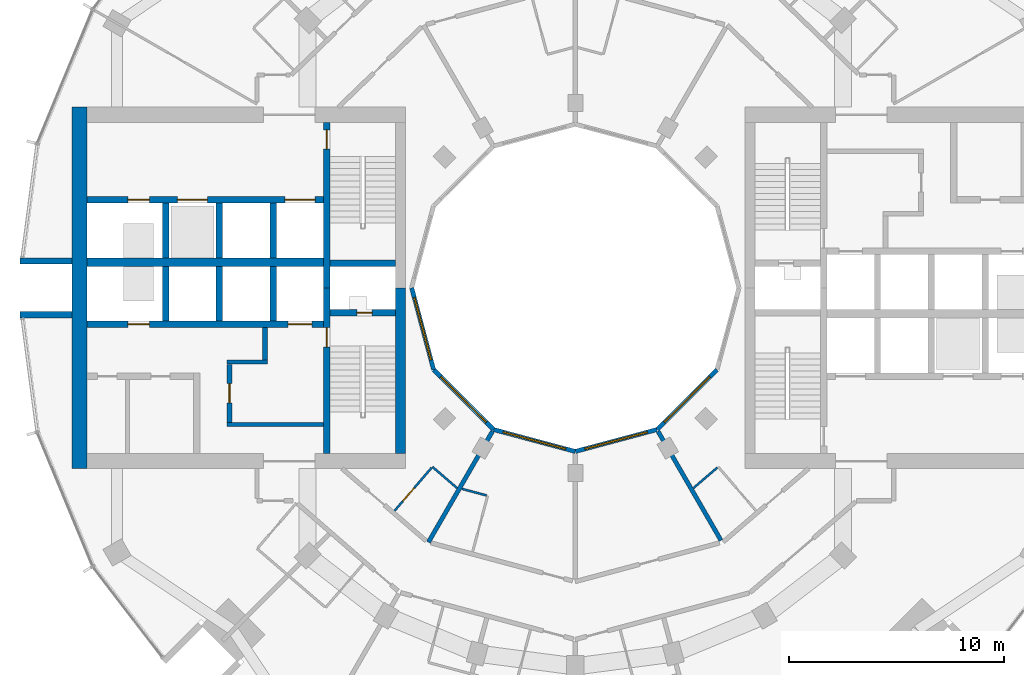
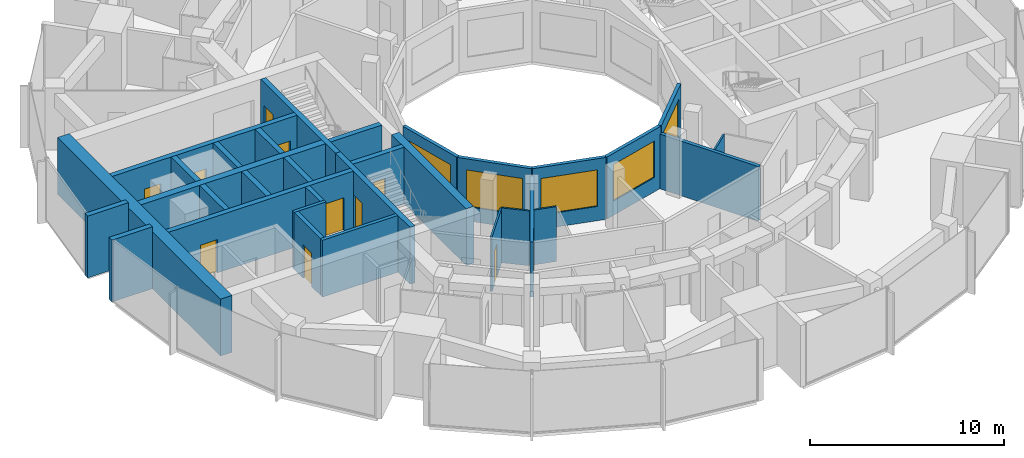
# One storey, part 9 of 15: 32 walls, 10 doors, 5 windows, 15 openings.
"""IFC4 building model written with IfcOpenShell, lengths in metres."""

from ifc_helpers import new_model, si_unit, direction, frame, frame_2d, origin, place, context, subcontext, project, spatial, rectangle, extrude, material, layer, layer_set, type_object, element, fill, save


model = new_model("IFC4")

# Units and contexts
model_context = context("Model", 3, precision=1e-05, world=origin(), true_north=direction((0.0, 1.0)))
body_context = subcontext(model_context, "Body", "Model", "MODEL_VIEW")
ifc_project = project(units=[si_unit("LENGTHUNIT", "METRE"), si_unit("AREAUNIT", "SQUARE_METRE"), si_unit("VOLUMEUNIT", "CUBIC_METRE"), si_unit("PLANEANGLEUNIT", "RADIAN"), si_unit("MASSUNIT", "GRAM", prefix="KILO")], contexts=[model_context])

# Site, building, storey
site_placement = place(None, origin())
site = spatial("IfcSite", under=ifc_project, at=site_placement, CompositionType="ELEMENT")
building_placement = place(site_placement, origin())
building = spatial("IfcBuilding", under=site, at=building_placement, Name="Torre Brocal", CompositionType="ELEMENT")
storey_placement = place(building_placement, frame((0.0, 0.0, 138.0)))
storey = spatial("IfcBuildingStorey", under=building, at=storey_placement, Name="L32", CompositionType="ELEMENT", Elevation=138.0)

# Walls
ifc_material_1 = material(Name="Concrete C70", Category="concrete")
ifc_layer_1 = layer(ifc_material_1, 0.199951171875)
ifc_layer_set_1 = layer_set([ifc_layer_1], Name="Concrete C70")
wall_type_1 = type_object("IfcWallType", Name="CORE WALL 200 C70", PredefinedType="SHEAR", material=ifc_layer_set_1)
wall_1_placement = place(storey_placement, frame((68.300048828125, 68.64990234375, 0.0), z_axis=(0.0, 0.0, 1.0), x_axis=(-1.0, 0.0, 0.0)))
element("IfcWall", 1, at=wall_1_placement, inside=storey, type_object=wall_type_1, Name="Wall CW200-70", PredefinedType="SHEAR", context=body_context, shape_type="SweptSolid", body=[
    extrude(rectangle(XDim=4.5, YDim=0.199951171875, at=frame_2d((2.25, 0.0))), origin(), (0.0, 0.0, 1.0), 3.580078125),
])
wall_2_placement = place(storey_placement, frame((65.699951171875, 71.550048828125, 0.0), z_axis=(0.0, 0.0, 1.0), x_axis=(-1.0, 0.0, 0.0)))
element("IfcWall", 2, at=wall_2_placement, inside=storey, type_object=wall_type_1, Name="Wall CW200-70", PredefinedType="SHEAR", context=body_context, shape_type="SweptSolid", body=[
    extrude(rectangle(XDim=1.89990234375, YDim=0.199951171875, at=frame_2d((0.949951171875, 0.0))), origin(), (0.0, 0.0, 1.0), 3.580078125),
])

# Wall, opening, door
ifc_material_2 = material(Name="Concrete C70", Category="concrete")
ifc_layer_2 = layer(ifc_material_2, 0.25)
ifc_layer_set_2 = layer_set([ifc_layer_2], Name="Concrete C70")
wall_type_2 = type_object("IfcWallType", Name="CORE WALL 250 C70", PredefinedType="SHEAR", material=ifc_layer_set_2)
wall_3_placement = place(storey_placement, frame((63.925048828125, 71.449951171875, 0.0), z_axis=(0.0, 0.0, 1.0), x_axis=(0.0, -1.0, 0.0)))
wall_3 = element("IfcWall", 3, at=wall_3_placement, inside=storey, type_object=wall_type_2, Name="Wall CW250-70", PredefinedType="SHEAR", context=body_context, shape_type="SweptSolid", body=[
    extrude(rectangle(XDim=2.699951171875, YDim=0.25, at=frame_2d((1.35009765625, 0.0))), origin(), (0.0, 0.0, 1.0), 3.580078125),
])
opening_1_placement = place(wall_3_placement, frame((0.89990234375, 0.0, 0.0)))
opening_1 = element("IfcOpeningElement", 4, at=opening_1_placement, cuts=wall_3, Name="Opening W-D15", PredefinedType="OPENING", context=body_context, shape_type="SweptSolid", body=[
    extrude(rectangle(XDim=0.89990234375, YDim=2.10009765625, at=frame_2d((0.449951171875, 1.050048828125))), frame((0.0, 0.135009765625, 0.0), z_axis=(0.0, -1.0, 0.0), x_axis=(1.0, 0.0, 0.0)), (0.0, 0.0, 1.0), 0.27001953125),
])
ifc_material_3 = material(Name="Steel A653", Category="steel")
door_type_1 = type_object("IfcDoorType", Name="LOBBY DOOR FD120 900X2100", OperationType="SINGLE_SWING_RIGHT", PredefinedType="DOOR", material=ifc_material_3)
door_1_placement = place(opening_1_placement, origin())
door_1 = element("IfcDoor", 5, at=door_1_placement, inside=storey, type_object=door_type_1, Name="Door W-D15", OperationType="SINGLE_SWING_LEFT", OverallHeight=2.10009765625, OverallWidth=0.89990234375, PredefinedType="DOOR", context=body_context, shape_type="SweptSolid", body=[
    extrude(rectangle(XDim=0.89990234375, YDim=2.10009765625, at=frame_2d((0.449951171875, 1.050048828125))), frame((0.0, 0.02490234375, 0.0), z_axis=(0.0, -1.0, 0.0), x_axis=(1.0, 0.0, 0.0)), (0.0, 0.0, 1.0), 0.050048828125),
])
fill(opening_1, door_1)

# Wall
wall_4_placement = place(storey_placement, frame((65.574951171875, 73.14990234375, 0.0), z_axis=(0.0, 0.0, 1.0), x_axis=(0.0, -1.0, 0.0)))
element("IfcWall", 6, at=wall_4_placement, inside=storey, type_object=wall_type_2, Name="Wall CW250-70", PredefinedType="SHEAR", context=body_context, shape_type="SweptSolid", body=[
    extrude(rectangle(XDim=1.5, YDim=0.25, at=frame_2d((0.75, 0.0))), origin(), (0.0, 0.0, 1.0), 3.580078125),
])

# Wall, opening, door
ifc_material_4 = material(Name="Concrete C70", Category="concrete")
ifc_layer_3 = layer(ifc_material_4, 0.300048828125)
ifc_layer_set_3 = layer_set([ifc_layer_3], Name="Concrete C70")
wall_type_3 = type_object("IfcWallType", Name="CORE WALL 300 C70", PredefinedType="SHEAR", material=ifc_layer_set_3)
wall_5_placement = place(storey_placement, frame((68.449951171875, 75.0, 0.0), z_axis=(0.0, 0.0, 1.0), x_axis=(0.0, -1.0, 0.0)))
wall_5 = element("IfcWall", 7, at=wall_5_placement, inside=storey, type_object=wall_type_3, Name="Wall CW300-70", PredefinedType="SHEAR", context=body_context, shape_type="SweptSolid", body=[
    extrude(rectangle(XDim=7.699951171875, YDim=0.300048828125, at=frame_2d((3.85009765625, 0.0))), origin(), (0.0, 0.0, 1.0), 3.580078125),
])
opening_2_placement = place(wall_5_placement, frame((1.85009765625, 0.0, 0.0)))
opening_2 = element("IfcOpeningElement", 8, at=opening_2_placement, cuts=wall_5, Name="Opening W-D02", PredefinedType="OPENING", context=body_context, shape_type="SweptSolid", body=[
    extrude(rectangle(XDim=0.89990234375, YDim=2.10009765625, at=frame_2d((0.449951171875, 1.050048828125))), frame((0.0, 0.159912109375, 0.0), z_axis=(0.0, -1.0, 0.0), x_axis=(1.0, 0.0, 0.0)), (0.0, 0.0, 1.0), 0.320068359375),
])
ifc_material_5 = material(Name="Steel A653", Category="steel")
door_type_2 = type_object("IfcDoorType", Name="STAIR DOOR FD120 900X2100", OperationType="SINGLE_SWING_RIGHT", PredefinedType="DOOR", material=ifc_material_5)
door_2_placement = place(opening_2_placement, origin())
door_2 = element("IfcDoor", 9, at=door_2_placement, inside=storey, type_object=door_type_2, Name="Door W-D02", OperationType="SINGLE_SWING_LEFT", OverallHeight=2.10009765625, OverallWidth=0.89990234375, PredefinedType="DOOR", context=body_context, shape_type="SweptSolid", body=[
    extrude(rectangle(XDim=0.89990234375, YDim=2.10009765625, at=frame_2d((0.449951171875, 1.050048828125))), frame((0.0, 0.02490234375, 0.0), z_axis=(0.0, -1.0, 0.0), x_axis=(1.0, 0.0, 0.0)), (0.0, 0.0, 1.0), 0.050048828125),
])
fill(opening_2, door_2)

wall_6_placement = place(storey_placement, frame((68.449951171875, 82.699951171875, 0.0), z_axis=(0.0, 0.0, 1.0), x_axis=(0.0, -1.0, 0.0)))
wall_6 = element("IfcWall", 10, at=wall_6_placement, inside=storey, type_object=wall_type_3, Name="Wall CW300-70", PredefinedType="SHEAR", context=body_context, shape_type="SweptSolid", body=[
    extrude(rectangle(XDim=7.699951171875, YDim=0.300048828125, at=frame_2d((3.85009765625, 0.0))), origin(), (0.0, 0.0, 1.0), 3.580078125),
])
opening_3_placement = place(wall_6_placement, frame((0.35009765625, 0.0, 0.0)))
opening_3 = element("IfcOpeningElement", 11, at=opening_3_placement, cuts=wall_6, Name="Opening W-D03", PredefinedType="OPENING", context=body_context, shape_type="SweptSolid", body=[
    extrude(rectangle(XDim=0.89990234375, YDim=2.10009765625, at=frame_2d((0.449951171875, 1.050048828125))), frame((0.0, 0.159912109375, 0.0), z_axis=(0.0, -1.0, 0.0), x_axis=(1.0, 0.0, 0.0)), (0.0, 0.0, 1.0), 0.320068359375),
])
door_3_placement = place(opening_3_placement, origin())
door_3 = element("IfcDoor", 12, at=door_3_placement, inside=storey, type_object=door_type_2, Name="Door W-D03", OperationType="SINGLE_SWING_LEFT", OverallHeight=2.10009765625, OverallWidth=0.89990234375, PredefinedType="DOOR", context=body_context, shape_type="SweptSolid", body=[
    extrude(rectangle(XDim=0.89990234375, YDim=2.10009765625, at=frame_2d((0.449951171875, 1.050048828125))), frame((0.0, 0.02490234375, 0.0), z_axis=(0.0, -1.0, 0.0), x_axis=(1.0, 0.0, 0.0)), (0.0, 0.0, 1.0), 0.050048828125),
])
fill(opening_3, door_3)

wall_7_placement = place(storey_placement, frame((71.64990234375, 73.85009765625, 0.0), z_axis=(0.0, 0.0, 1.0), x_axis=(-1.0, 0.0, 0.0)))
wall_7 = element("IfcWall", 13, at=wall_7_placement, inside=storey, type_object=wall_type_3, Name="Wall CW300-70", PredefinedType="SHEAR", context=body_context, shape_type="SweptSolid", body=[
    extrude(rectangle(XDim=3.0498046875, YDim=0.300048828125, at=frame_2d((1.52490234375, 0.0))), origin(), (0.0, 0.0, 1.0), 3.580078125),
])
opening_4_placement = place(wall_7_placement, frame((1.10009765625, 0.0, 0.0)))
opening_4 = element("IfcOpeningElement", 14, at=opening_4_placement, cuts=wall_7, Name="Opening W-D01", PredefinedType="OPENING", context=body_context, shape_type="SweptSolid", body=[
    extrude(rectangle(XDim=0.699951171875, YDim=2.0, at=frame_2d((0.35009765625, 1.0))), frame((0.0, 0.159912109375, 0.0), z_axis=(0.0, -1.0, 0.0), x_axis=(1.0, 0.0, 0.0)), (0.0, 0.0, 1.0), 0.320068359375),
])
ifc_material_6 = material(Name="Steel A653", Category="steel")
door_type_3 = type_object("IfcDoorType", Name="RISER DOOR FD120 700X2000", OperationType="SINGLE_SWING_LEFT", PredefinedType="DOOR", material=ifc_material_6)
door_4_placement = place(opening_4_placement, frame((0.699951171875, 0.0, 0.0), z_axis=(0.0, 0.0, 1.0), x_axis=(-1.0, 0.0, 0.0)))
door_4 = element("IfcDoor", 15, at=door_4_placement, inside=storey, type_object=door_type_3, Name="Door W-D01", OperationType="SINGLE_SWING_RIGHT", OverallHeight=2.0, OverallWidth=0.699951171875, PredefinedType="DOOR", context=body_context, shape_type="SweptSolid", body=[
    extrude(rectangle(XDim=0.699951171875, YDim=2.0, at=frame_2d((0.35009765625, 1.0))), frame((0.0, 0.02490234375, 0.0), z_axis=(0.0, -1.0, 0.0), x_axis=(1.0, 0.0, 0.0)), (0.0, 0.0, 1.0), 0.050048828125),
])
fill(opening_4, door_4)

# Wall
wall_8_placement = place(storey_placement, frame((71.64990234375, 76.14990234375, 0.0), z_axis=(0.0, 0.0, 1.0), x_axis=(-1.0, 0.0, 0.0)))
element("IfcWall", 16, at=wall_8_placement, inside=storey, type_object=wall_type_3, Name="Wall CW300-70", PredefinedType="SHEAR", context=body_context, shape_type="SweptSolid", body=[
    extrude(rectangle(XDim=3.0498046875, YDim=0.300048828125, at=frame_2d((1.52490234375, 0.0))), origin(), (0.0, 0.0, 1.0), 3.580078125),
])

# Wall, openings, doors
wall_9_placement = place(storey_placement, frame((68.300048828125, 73.300048828125, 0.0), z_axis=(0.0, 0.0, 1.0), x_axis=(-1.0, 0.0, 0.0)))
wall_9 = element("IfcWall", 17, at=wall_9_placement, inside=storey, type_object=wall_type_3, Name="Wall CW300-70", PredefinedType="SHEAR", context=body_context, shape_type="SweptSolid", body=[
    extrude(rectangle(XDim=11.0, YDim=0.300048828125, at=frame_2d((5.5, 0.0))), origin(), (0.0, 0.0, 1.0), 3.580078125),
])
opening_5_placement = place(wall_9_placement, frame((0.550048828125, 0.0, 0.0)))
opening_5 = element("IfcOpeningElement", 18, at=opening_5_placement, cuts=wall_9, Name="Opening LD", PredefinedType="OPENING", context=body_context, shape_type="SweptSolid", body=[
    extrude(rectangle(XDim=1.10009765625, YDim=2.10009765625, at=frame_2d((0.550048828125, 1.050048828125))), frame((0.0, 0.159912109375, 0.0), z_axis=(0.0, -1.0, 0.0), x_axis=(1.0, 0.0, 0.0)), (0.0, 0.0, 1.0), 0.320068359375),
])
opening_6_placement = place(wall_9_placement, frame((8.10009765625, 0.0, 0.0)))
opening_6 = element("IfcOpeningElement", 19, at=opening_6_placement, cuts=wall_9, Name="Opening LD10", PredefinedType="OPENING", context=body_context, shape_type="SweptSolid", body=[
    extrude(rectangle(XDim=1.0, YDim=2.10009765625, at=frame_2d((0.5, 1.050048828125))), frame((0.0, 0.159912109375, 0.0), z_axis=(0.0, -1.0, 0.0), x_axis=(1.0, 0.0, 0.0)), (0.0, 0.0, 1.0), 0.320068359375),
])
ifc_material_7 = material(Name="Stainless steel AISI 316", Category="steel")
door_type_4 = type_object("IfcDoorType", Name="LIFT LANDING DOOR 1000X2100", OperationType="DOUBLE_DOOR_SLIDING", PredefinedType="DOOR", material=ifc_material_7)
door_5_placement = place(opening_6_placement, origin())
door_5 = element("IfcDoor", 20, at=door_5_placement, inside=storey, type_object=door_type_4, Name="Door LD10", OperationType="DOUBLE_DOOR_SLIDING", OverallHeight=2.10009765625, OverallWidth=1.0, PredefinedType="DOOR", context=body_context, shape_type="SweptSolid", body=[
    extrude(rectangle(XDim=1.0, YDim=2.10009765625, at=frame_2d((0.5, 1.050048828125))), frame((0.0, 0.02490234375, 0.0), z_axis=(0.0, -1.0, 0.0), x_axis=(1.0, 0.0, 0.0)), (0.0, 0.0, 1.0), 0.050048828125),
])
fill(opening_6, door_5)
ifc_material_8 = material(Name="Stainless steel AISI 316", Category="steel")
door_type_5 = type_object("IfcDoorType", Name="LIFT LANDING DOOR 1100X2100", OperationType="DOUBLE_DOOR_SLIDING", PredefinedType="DOOR", material=ifc_material_8)
door_6_placement = place(opening_5_placement, origin())
door_6 = element("IfcDoor", 21, at=door_6_placement, inside=storey, type_object=door_type_5, Name="Door LD", OperationType="DOUBLE_DOOR_SLIDING", OverallHeight=2.10009765625, OverallWidth=1.10009765625, PredefinedType="DOOR", context=body_context, shape_type="SweptSolid", body=[
    extrude(rectangle(XDim=1.10009765625, YDim=2.10009765625, at=frame_2d((0.550048828125, 1.050048828125))), frame((0.0, 0.02490234375, 0.0), z_axis=(0.0, -1.0, 0.0), x_axis=(1.0, 0.0, 0.0)), (0.0, 0.0, 1.0), 0.050048828125),
])
fill(opening_5, door_6)

wall_10_placement = place(storey_placement, frame((68.300048828125, 79.10009765625, 0.0), z_axis=(0.0, 0.0, 1.0), x_axis=(-1.0, 0.0, 0.0)))
wall_10 = element("IfcWall", 22, at=wall_10_placement, inside=storey, type_object=wall_type_3, Name="Wall CW300-70", PredefinedType="SHEAR", context=body_context, shape_type="SweptSolid", body=[
    extrude(rectangle(XDim=11.0, YDim=0.300048828125, at=frame_2d((5.5, 0.0))), origin(), (0.0, 0.0, 1.0), 3.580078125),
])
opening_7_placement = place(wall_10_placement, frame((0.39990234375, 0.0, 0.0)))
opening_7 = element("IfcOpeningElement", 23, at=opening_7_placement, cuts=wall_10, Name="Opening LD14", PredefinedType="OPENING", context=body_context, shape_type="SweptSolid", body=[
    extrude(rectangle(XDim=1.39990234375, YDim=2.10009765625, at=frame_2d((0.699951171875, 1.050048828125))), frame((0.0, 0.159912109375, 0.0), z_axis=(0.0, -1.0, 0.0), x_axis=(1.0, 0.0, 0.0)), (0.0, 0.0, 1.0), 0.320068359375),
])
opening_8_placement = place(wall_10_placement, frame((5.39990234375, 0.0, 0.0)))
opening_8 = element("IfcOpeningElement", 24, at=opening_8_placement, cuts=wall_10, Name="Opening LD14", PredefinedType="OPENING", context=body_context, shape_type="SweptSolid", body=[
    extrude(rectangle(XDim=1.39990234375, YDim=2.10009765625, at=frame_2d((0.699951171875, 1.050048828125))), frame((0.0, 0.159912109375, 0.0), z_axis=(0.0, -1.0, 0.0), x_axis=(1.0, 0.0, 0.0)), (0.0, 0.0, 1.0), 0.320068359375),
])
opening_9_placement = place(wall_10_placement, frame((8.10009765625, 0.0, 0.0)))
opening_9 = element("IfcOpeningElement", 25, at=opening_9_placement, cuts=wall_10, Name="Opening LD10", PredefinedType="OPENING", context=body_context, shape_type="SweptSolid", body=[
    extrude(rectangle(XDim=1.0, YDim=2.10009765625, at=frame_2d((0.5, 1.050048828125))), frame((0.0, 0.159912109375, 0.0), z_axis=(0.0, -1.0, 0.0), x_axis=(1.0, 0.0, 0.0)), (0.0, 0.0, 1.0), 0.320068359375),
])
door_7_placement = place(opening_9_placement, origin())
door_7 = element("IfcDoor", 26, at=door_7_placement, inside=storey, type_object=door_type_4, Name="Door LD10", OperationType="DOUBLE_DOOR_SLIDING", OverallHeight=2.10009765625, OverallWidth=1.0, PredefinedType="DOOR", context=body_context, shape_type="SweptSolid", body=[
    extrude(rectangle(XDim=1.0, YDim=2.10009765625, at=frame_2d((0.5, 1.050048828125))), frame((0.0, 0.02490234375, 0.0), z_axis=(0.0, -1.0, 0.0), x_axis=(1.0, 0.0, 0.0)), (0.0, 0.0, 1.0), 0.050048828125),
])
fill(opening_9, door_7)
ifc_material_9 = material(Name="Stainless steel AISI 316", Category="steel")
door_type_6 = type_object("IfcDoorType", Name="LIFT LANDING DOOR 1400X2100", OperationType="DOUBLE_DOOR_SLIDING", PredefinedType="DOOR", material=ifc_material_9)
door_8_placement = place(opening_7_placement, origin())
door_8 = element("IfcDoor", 27, at=door_8_placement, inside=storey, type_object=door_type_6, Name="Door LD14", OperationType="DOUBLE_DOOR_SLIDING", OverallHeight=2.10009765625, OverallWidth=1.39990234375, PredefinedType="DOOR", context=body_context, shape_type="SweptSolid", body=[
    extrude(rectangle(XDim=1.39990234375, YDim=2.10009765625, at=frame_2d((0.699951171875, 1.050048828125))), frame((0.0, 0.02490234375, 0.0), z_axis=(0.0, -1.0, 0.0), x_axis=(1.0, 0.0, 0.0)), (0.0, 0.0, 1.0), 0.050048828125),
])
fill(opening_7, door_8)
door_9_placement = place(opening_8_placement, origin())
door_9 = element("IfcDoor", 28, at=door_9_placement, inside=storey, type_object=door_type_6, Name="Door LD14", OperationType="DOUBLE_DOOR_SLIDING", OverallHeight=2.10009765625, OverallWidth=1.39990234375, PredefinedType="DOOR", context=body_context, shape_type="SweptSolid", body=[
    extrude(rectangle(XDim=1.39990234375, YDim=2.10009765625, at=frame_2d((0.699951171875, 1.050048828125))), frame((0.0, 0.02490234375, 0.0), z_axis=(0.0, -1.0, 0.0), x_axis=(1.0, 0.0, 0.0)), (0.0, 0.0, 1.0), 0.050048828125),
])
fill(opening_8, door_9)

# Walls
for number, where, z_axis, x_axis, name in (
    (29, (65.949951171875, 76.0, 0.0), (0.0, 0.0, 1.0), (0.0, -1.0, 0.0), "Wall CW300-70"),
    (30, (63.449951171875, 76.0, 0.0), (0.0, 0.0, 1.0), (0.0, -1.0, 0.0), "Wall CW300-70"),
    (31, (60.949951171875, 76.0, 0.0), (0.0, 0.0, 1.0), (0.0, -1.0, 0.0), "Wall CW300-70"),
    (32, (65.949951171875, 78.949951171875, 0.0), (0.0, 0.0, 1.0), (0.0, -1.0, 0.0), "Wall CW300-70"),
    (33, (63.449951171875, 78.949951171875, 0.0), (0.0, 0.0, 1.0), (0.0, -1.0, 0.0), "Wall CW300-70"),
    (34, (60.949951171875, 78.949951171875, 0.0), (0.0, 0.0, 1.0), (0.0, -1.0, 0.0), "Wall CW300-70"),
):
    element("IfcWall", number, at=place(storey_placement, frame(where, z_axis=z_axis, x_axis=x_axis)), inside=storey, type_object=wall_type_3, Name=name, PredefinedType="SHEAR", context=body_context, shape_type="SweptSolid", body=[
        extrude(rectangle(XDim=2.550048828125, YDim=0.300048828125, at=frame_2d((1.27490234375, 0.0))), origin(), (0.0, 0.0, 1.0), 3.580078125),
    ])
ifc_material_10 = material(Name="Concrete C70", Category="concrete")
ifc_layer_4 = layer(ifc_material_10, 0.39990234375)
ifc_layer_set_4 = layer_set([ifc_layer_4], Name="Concrete C70")
wall_type_4 = type_object("IfcWallType", Name="CORE WALL 400 C70", PredefinedType="SHEAR", material=ifc_layer_set_4)
wall_11_placement = place(storey_placement, frame((68.300048828125, 76.199951171875, 0.0), z_axis=(0.0, 0.0, 1.0), x_axis=(-1.0, 0.0, 0.0)))
element("IfcWall", 35, at=wall_11_placement, inside=storey, type_object=wall_type_4, Name="Wall CW400-70", PredefinedType="SHEAR", context=body_context, shape_type="SweptSolid", body=[
    extrude(rectangle(XDim=11.0, YDim=0.39990234375, at=frame_2d((5.5, 0.0))), origin(), (0.0, 0.0, 1.0), 3.580078125),
])
ifc_material_11 = material(Name="Concrete C70", Category="concrete")
ifc_layer_5 = layer(ifc_material_11, 0.449951171875)
ifc_layer_set_5 = layer_set([ifc_layer_5], Name="Concrete C70")
wall_type_5 = type_object("IfcWallType", Name="CORE WALL 450 C70", PredefinedType="SHEAR", material=ifc_layer_set_5)
wall_12_placement = place(storey_placement, frame((71.875, 75.0, 0.0), z_axis=(0.0, 0.0, 1.0), x_axis=(0.0, -1.0, 0.0)))
element("IfcWall", 36, at=wall_12_placement, inside=storey, type_object=wall_type_5, Name="Wall CW450-70", PredefinedType="SHEAR", context=body_context, shape_type="SweptSolid", body=[
    extrude(rectangle(XDim=7.699951171875, YDim=0.449951171875, at=frame_2d((3.85009765625, 0.0))), origin(), (0.0, 0.0, 1.0), 3.580078125),
])
ifc_material_12 = material(Name="Concrete C70", Category="concrete")
ifc_layer_6 = layer(ifc_material_12, 0.699951171875)
ifc_layer_set_6 = layer_set([ifc_layer_6], Name="Concrete C70")
wall_type_6 = type_object("IfcWallType", Name="CORE WALL 700 C70", PredefinedType="SHEAR", material=ifc_layer_set_6)
wall_13_placement = place(storey_placement, frame((56.949951171875, 83.39990234375, 0.0), z_axis=(0.0, 0.0, 1.0), x_axis=(0.0, -1.0, 0.0)))
element("IfcWall", 37, at=wall_13_placement, inside=storey, type_object=wall_type_6, Name="Wall CW700-70", PredefinedType="SHEAR", context=body_context, shape_type="SweptSolid", body=[
    extrude(rectangle(XDim=16.7998046875, YDim=0.699951171875, at=frame_2d((8.39990234375, 0.0))), origin(), (0.0, 0.0, 1.0), 3.580078125),
])
ifc_material_13 = material(Name="Concrete C70", Category="concrete")
ifc_layer_7 = layer(ifc_material_13, 0.300048828125)
ifc_layer_set_7 = layer_set([ifc_layer_7], Name="Concrete C70")
wall_type_7 = type_object("IfcWallType", Name="NOTCH RETURN WALL 300 C70", PredefinedType="NOTDEFINED", material=ifc_layer_set_7)
for number, where, z_axis, x_axis, name in (
    (38, (56.60009765625, 76.25, 0.0), (0.0, 0.0, 1.0), (-1.0, 0.0, 0.0), "NOTCH RETURN WALL"),
    (39, (56.60009765625, 73.75, 0.0), (0.0, 0.0, 1.0), (-1.0, 0.0, 0.0), "NOTCH RETURN WALL"),
):
    element("IfcWall", number, at=place(storey_placement, frame(where, z_axis=z_axis, x_axis=x_axis)), inside=storey, type_object=wall_type_7, Name=name, PredefinedType="NOTDEFINED", context=body_context, shape_type="SweptSolid", body=[
        extrude(rectangle(XDim=2.415771484375, YDim=0.300048828125, at=frame_2d((1.2080078125, 0.0))), origin(), (0.0, 0.0, 1.0), 3.89990234375),
    ])

# Wall, opening, door
ifc_material_14 = material(Name="Gypsum board", Category="Gypsum")
ifc_layer_8 = layer(ifc_material_14, 0.10009765625)
ifc_layer_set_8 = layer_set([ifc_layer_8], Name="Gypsum board")
wall_type_8 = type_object("IfcWallType", Name="PARTITION 100", PredefinedType="PARTITIONING", material=ifc_layer_set_8)
wall_14_placement = place(storey_placement, frame((71.59619140625, 64.634765625, 0.0), z_axis=(0.0, 0.0, 1.0), x_axis=(0.652285007511, 0.757973791748, 0.0)))
wall_14 = element("IfcWall", 40, at=wall_14_placement, inside=storey, type_object=wall_type_8, Name="BATHROOM WALL", PredefinedType="PARTITIONING", context=body_context, shape_type="SweptSolid", body=[
    extrude(rectangle(XDim=2.649658203125, YDim=0.10009765625, at=frame_2d((1.32470703125, 0.0))), origin(), (0.0, 0.0, 1.0), 3.449951171875),
])
opening_10_placement = place(wall_14_placement, frame((0.599609375, 0.0, 0.0)))
opening_10 = element("IfcOpeningElement", 41, at=opening_10_placement, cuts=wall_14, Name="Opening E03-D40", PredefinedType="OPENING", context=body_context, shape_type="SweptSolid", body=[
    extrude(rectangle(XDim=0.800048828125, YDim=2.10009765625, at=frame_2d((0.39990234375, 1.050048828125))), frame((0.0, 0.06005859375, 0.0), z_axis=(0.0, -1.0, 0.0), x_axis=(1.0, 0.0, 0.0)), (0.0, 0.0, 1.0), 0.1201171875),
])
ifc_material_15 = material(Name="Timber", Category="wood")
door_type_7 = type_object("IfcDoorType", Name="BATHROOM DOOR 800X2100", OperationType="SINGLE_SWING_LEFT", PredefinedType="DOOR", material=ifc_material_15)
door_10_placement = place(opening_10_placement, frame((0.800048828125, 0.0, 0.0), z_axis=(0.0, 0.0, 1.0), x_axis=(-1.0, 0.0, 0.0)))
door_10 = element("IfcDoor", 42, at=door_10_placement, inside=storey, type_object=door_type_7, Name="E03-D40", OperationType="SINGLE_SWING_RIGHT", OverallHeight=2.10009765625, OverallWidth=0.800048828125, PredefinedType="DOOR", context=body_context, shape_type="SweptSolid", body=[
    extrude(rectangle(XDim=0.800048828125, YDim=2.10009765625, at=frame_2d((0.39990234375, 1.050048828125))), frame((0.0, 0.02490234375, 0.0), z_axis=(0.0, -1.0, 0.0), x_axis=(1.0, 0.0, 0.0)), (0.0, 0.0, 1.0), 0.050048828125),
])
fill(opening_10, door_10)

# Walls
wall_15_placement = place(storey_placement, frame((73.35693359375, 66.680908203125, 0.0), z_axis=(0.0, 0.0, 1.0), x_axis=(0.758263469747, -0.651948242154, 0.0)))
element("IfcWall", 43, at=wall_15_placement, inside=storey, type_object=wall_type_8, Name="BATHROOM WALL", PredefinedType="PARTITIONING", context=body_context, shape_type="SweptSolid", body=[
    extrude(rectangle(XDim=1.510986328125, YDim=0.10009765625, at=frame_2d((0.75537109375, 0.0))), origin(), (0.0, 0.0, 1.0), 3.449951171875),
])
wall_16_placement = place(storey_placement, frame((74.729248046875, 65.657470703125, 0.0), z_axis=(0.0, 0.0, 1.0), x_axis=(0.965948051503, -0.258736085224, 0.0)))
element("IfcWall", 44, at=wall_16_placement, inside=storey, type_object=wall_type_8, Name="BATHROOM WALL", PredefinedType="PARTITIONING", context=body_context, shape_type="SweptSolid", body=[
    extrude(rectangle(XDim=1.18896484375, YDim=0.10009765625, at=frame_2d((0.594482421875, 0.0))), origin(), (0.0, 0.0, 1.0), 3.449951171875),
])
wall_17_placement = place(storey_placement, frame((85.497314453125, 65.69580078125, 0.0), z_axis=(0.0, 0.0, 1.0), x_axis=(0.75817032582, 0.652056559698, 0.0)))
element("IfcWall", 45, at=wall_17_placement, inside=storey, type_object=wall_type_8, Name="BATHROOM WALL", PredefinedType="PARTITIONING", context=body_context, shape_type="SweptSolid", body=[
    extrude(rectangle(XDim=1.4609375, YDim=0.10009765625, at=frame_2d((0.73046875, 0.0))), origin(), (0.0, 0.0, 1.0), 3.449951171875),
])
ifc_material_16 = material(Name="Gypsum board", Category="Gypsum")
ifc_layer_9 = layer(ifc_material_16, 0.199951171875)
ifc_layer_set_9 = layer_set([ifc_layer_9], Name="Gypsum board")
wall_type_9 = type_object("IfcWallType", Name="PARTITION 200 EI60", PredefinedType="PARTITIONING", material=ifc_layer_set_9)
wall_18_placement = place(storey_placement, frame((73.172607421875, 63.17626953125, 0.0), z_axis=(0.0, 0.0, 1.0), x_axis=(0.500239348149, 0.865887171959, 0.0)))
element("IfcWall", 46, at=wall_18_placement, inside=storey, type_object=wall_type_9, Name="BATHROOM WALL", PredefinedType="PARTITIONING", context=body_context, shape_type="SweptSolid", body=[
    extrude(rectangle(XDim=5.955078125, YDim=0.199951171875, at=frame_2d((2.9775390625, 0.0))), origin(), (0.0, 0.0, 1.0), 3.449951171875),
])
wall_19_placement = place(storey_placement, frame((83.847412109375, 68.33203125, 0.0), z_axis=(0.0, 0.0, 1.0), x_axis=(0.499901724708, -0.866082135617, 0.0)))
element("IfcWall", 47, at=wall_19_placement, inside=storey, type_object=wall_type_9, Name="BATHROOM WALL", PredefinedType="PARTITIONING", context=body_context, shape_type="SweptSolid", body=[
    extrude(rectangle(XDim=5.855224609375, YDim=0.199951171875, at=frame_2d((2.927734375, 0.0))), origin(), (0.0, 0.0, 1.0), 3.449951171875),
])

# Wall, opening, window
ifc_material_17 = material(Name="Concrete C40", Category="concrete")
ifc_layer_10 = layer(ifc_material_17, 0.199951171875)
ifc_layer_set_10 = layer_set([ifc_layer_10], Name="Concrete C40")
wall_type_10 = type_object("IfcWallType", Name="WELL FACADE WALL 200", PredefinedType="NOTDEFINED", material=ifc_layer_set_10)
wall_20_placement = place(storey_placement, frame((72.396484375, 75.0, 0.0), z_axis=(0.0, 0.0, 1.0), x_axis=(0.258789828301, -0.965933654434, 0.0)))
wall_20 = element("IfcWall", 48, at=wall_20_placement, inside=storey, type_object=wall_type_10, Name="WELL FACADE WALL", PredefinedType="NOTDEFINED", context=body_context, shape_type="SweptSolid", body=[
    extrude(rectangle(XDim=3.935791015625, YDim=0.199951171875, at=frame_2d((1.9677734375, 0.0))), origin(), (0.0, 0.0, 1.0), 3.89990234375),
])
opening_11_placement = place(wall_20_placement, frame((0.468017578125, 0.0, 0.89990234375)))
opening_11 = element("IfcOpeningElement", 49, at=opening_11_placement, cuts=wall_20, Name="Opening W1", PredefinedType="OPENING", context=body_context, shape_type="SweptSolid", body=[
    extrude(rectangle(XDim=3.0, YDim=2.300048828125, at=frame_2d((1.5, 1.14990234375))), frame((0.0, 0.10986328125, 0.0), z_axis=(0.0, -1.0, 0.0), x_axis=(1.0, 0.0, 0.0)), (0.0, 0.0, 1.0), 0.219970703125),
])
ifc_material_18 = material(Name="Aluminium and glass", Category="aluminium")
window_type = type_object("IfcWindowType", Name="WELL WINDOW 3000X2300", PartitioningType="SINGLE_PANEL", PredefinedType="WINDOW", material=ifc_material_18)
window_1_placement = place(opening_11_placement, origin())
window_1 = element("IfcWindow", 50, at=window_1_placement, inside=storey, type_object=window_type, Name="WELL WINDOW 3000X2300", OverallHeight=2.300048828125, OverallWidth=3.0, PartitioningType="SINGLE_PANEL", PredefinedType="WINDOW", context=body_context, shape_type="SweptSolid", body=[
    extrude(rectangle(XDim=3.0, YDim=2.300048828125, at=frame_2d((1.5, 1.14990234375))), frame((0.0, 0.030029296875, 0.0), z_axis=(0.0, -1.0, 0.0), x_axis=(1.0, 0.0, 0.0)), (0.0, 0.0, 1.0), 0.06005859375),
])
fill(opening_11, window_1)

wall_21_placement = place(storey_placement, frame((73.4150390625, 71.1982421875, 0.0), z_axis=(0.0, 0.0, 1.0), x_axis=(0.707106781187, -0.707106781187, 0.0)))
wall_21 = element("IfcWall", 51, at=wall_21_placement, inside=storey, type_object=wall_type_10, Name="WELL FACADE WALL", PredefinedType="NOTDEFINED", context=body_context, shape_type="SweptSolid", body=[
    extrude(rectangle(XDim=3.93603515625, YDim=0.199951171875, at=frame_2d((1.968017578125, 0.0))), origin(), (0.0, 0.0, 1.0), 3.89990234375),
])
opening_12_placement = place(wall_21_placement, frame((0.468017578125, 0.0, 0.89990234375)))
opening_12 = element("IfcOpeningElement", 52, at=opening_12_placement, cuts=wall_21, Name="Opening W1", PredefinedType="OPENING", context=body_context, shape_type="SweptSolid", body=[
    extrude(rectangle(XDim=3.0, YDim=2.300048828125, at=frame_2d((1.5, 1.14990234375))), frame((0.0, 0.10986328125, 0.0), z_axis=(0.0, -1.0, 0.0), x_axis=(1.0, 0.0, 0.0)), (0.0, 0.0, 1.0), 0.219970703125),
])
window_2_placement = place(opening_12_placement, origin())
window_2 = element("IfcWindow", 53, at=window_2_placement, inside=storey, type_object=window_type, Name="WELL WINDOW 3000X2300", OverallHeight=2.300048828125, OverallWidth=3.0, PartitioningType="SINGLE_PANEL", PredefinedType="WINDOW", context=body_context, shape_type="SweptSolid", body=[
    extrude(rectangle(XDim=3.0, YDim=2.300048828125, at=frame_2d((1.5, 1.14990234375))), frame((0.0, 0.030029296875, 0.0), z_axis=(0.0, -1.0, 0.0), x_axis=(1.0, 0.0, 0.0)), (0.0, 0.0, 1.0), 0.06005859375),
])
fill(opening_12, window_2)

wall_22_placement = place(storey_placement, frame((76.1982421875, 68.4150390625, 0.0), z_axis=(0.0, 0.0, 1.0), x_axis=(0.965933654434, -0.258789828301, 0.0)))
wall_22 = element("IfcWall", 54, at=wall_22_placement, inside=storey, type_object=wall_type_10, Name="WELL FACADE WALL", PredefinedType="NOTDEFINED", context=body_context, shape_type="SweptSolid", body=[
    extrude(rectangle(XDim=3.935791015625, YDim=0.199951171875, at=frame_2d((1.9677734375, 0.0))), origin(), (0.0, 0.0, 1.0), 3.89990234375),
])
opening_13_placement = place(wall_22_placement, frame((0.468017578125, 0.0, 0.89990234375)))
opening_13 = element("IfcOpeningElement", 55, at=opening_13_placement, cuts=wall_22, Name="Opening W1", PredefinedType="OPENING", context=body_context, shape_type="SweptSolid", body=[
    extrude(rectangle(XDim=3.0, YDim=2.300048828125, at=frame_2d((1.5, 1.14990234375))), frame((0.0, 0.10986328125, 0.0), z_axis=(0.0, -1.0, 0.0), x_axis=(1.0, 0.0, 0.0)), (0.0, 0.0, 1.0), 0.219970703125),
])
window_3_placement = place(opening_13_placement, origin())
window_3 = element("IfcWindow", 56, at=window_3_placement, inside=storey, type_object=window_type, Name="WELL WINDOW 3000X2300", OverallHeight=2.300048828125, OverallWidth=3.0, PartitioningType="SINGLE_PANEL", PredefinedType="WINDOW", context=body_context, shape_type="SweptSolid", body=[
    extrude(rectangle(XDim=3.0, YDim=2.300048828125, at=frame_2d((1.5, 1.14990234375))), frame((0.0, 0.030029296875, 0.0), z_axis=(0.0, -1.0, 0.0), x_axis=(1.0, 0.0, 0.0)), (0.0, 0.0, 1.0), 0.06005859375),
])
fill(opening_13, window_3)

wall_23_placement = place(storey_placement, frame((80.0, 67.396484375, 0.0), z_axis=(0.0, 0.0, 1.0), x_axis=(0.965933654434, 0.258789828301, 0.0)))
wall_23 = element("IfcWall", 57, at=wall_23_placement, inside=storey, type_object=wall_type_10, Name="WELL FACADE WALL", PredefinedType="NOTDEFINED", context=body_context, shape_type="SweptSolid", body=[
    extrude(rectangle(XDim=3.935791015625, YDim=0.199951171875, at=frame_2d((1.9677734375, 0.0))), origin(), (0.0, 0.0, 1.0), 3.89990234375),
])
opening_14_placement = place(wall_23_placement, frame((0.468017578125, 0.0, 0.89990234375)))
opening_14 = element("IfcOpeningElement", 58, at=opening_14_placement, cuts=wall_23, Name="Opening W1", PredefinedType="OPENING", context=body_context, shape_type="SweptSolid", body=[
    extrude(rectangle(XDim=3.0, YDim=2.300048828125, at=frame_2d((1.5, 1.14990234375))), frame((0.0, 0.10986328125, 0.0), z_axis=(0.0, -1.0, 0.0), x_axis=(1.0, 0.0, 0.0)), (0.0, 0.0, 1.0), 0.219970703125),
])
window_4_placement = place(opening_14_placement, origin())
window_4 = element("IfcWindow", 59, at=window_4_placement, inside=storey, type_object=window_type, Name="WELL WINDOW 3000X2300", OverallHeight=2.300048828125, OverallWidth=3.0, PartitioningType="SINGLE_PANEL", PredefinedType="WINDOW", context=body_context, shape_type="SweptSolid", body=[
    extrude(rectangle(XDim=3.0, YDim=2.300048828125, at=frame_2d((1.5, 1.14990234375))), frame((0.0, 0.030029296875, 0.0), z_axis=(0.0, -1.0, 0.0), x_axis=(1.0, 0.0, 0.0)), (0.0, 0.0, 1.0), 0.06005859375),
])
fill(opening_14, window_4)

wall_24_placement = place(storey_placement, frame((83.8017578125, 68.4150390625, 0.0), z_axis=(0.0, 0.0, 1.0), x_axis=(0.707106781187, 0.707106781187, 0.0)))
wall_24 = element("IfcWall", 60, at=wall_24_placement, inside=storey, type_object=wall_type_10, Name="WELL FACADE WALL", PredefinedType="NOTDEFINED", context=body_context, shape_type="SweptSolid", body=[
    extrude(rectangle(XDim=3.93603515625, YDim=0.199951171875, at=frame_2d((1.968017578125, 0.0))), origin(), (0.0, 0.0, 1.0), 3.89990234375),
])
opening_15_placement = place(wall_24_placement, frame((0.468017578125, 0.0, 0.89990234375)))
opening_15 = element("IfcOpeningElement", 61, at=opening_15_placement, cuts=wall_24, Name="Opening W1", PredefinedType="OPENING", context=body_context, shape_type="SweptSolid", body=[
    extrude(rectangle(XDim=3.0, YDim=2.300048828125, at=frame_2d((1.5, 1.14990234375))), frame((0.0, 0.10986328125, 0.0), z_axis=(0.0, -1.0, 0.0), x_axis=(1.0, 0.0, 0.0)), (0.0, 0.0, 1.0), 0.219970703125),
])
window_5_placement = place(opening_15_placement, origin())
window_5 = element("IfcWindow", 62, at=window_5_placement, inside=storey, type_object=window_type, Name="WELL WINDOW 3000X2300", OverallHeight=2.300048828125, OverallWidth=3.0, PartitioningType="SINGLE_PANEL", PredefinedType="WINDOW", context=body_context, shape_type="SweptSolid", body=[
    extrude(rectangle(XDim=3.0, YDim=2.300048828125, at=frame_2d((1.5, 1.14990234375))), frame((0.0, 0.030029296875, 0.0), z_axis=(0.0, -1.0, 0.0), x_axis=(1.0, 0.0, 0.0)), (0.0, 0.0, 1.0), 0.06005859375),
])
fill(opening_15, window_5)

save(model, "model.ifc")
